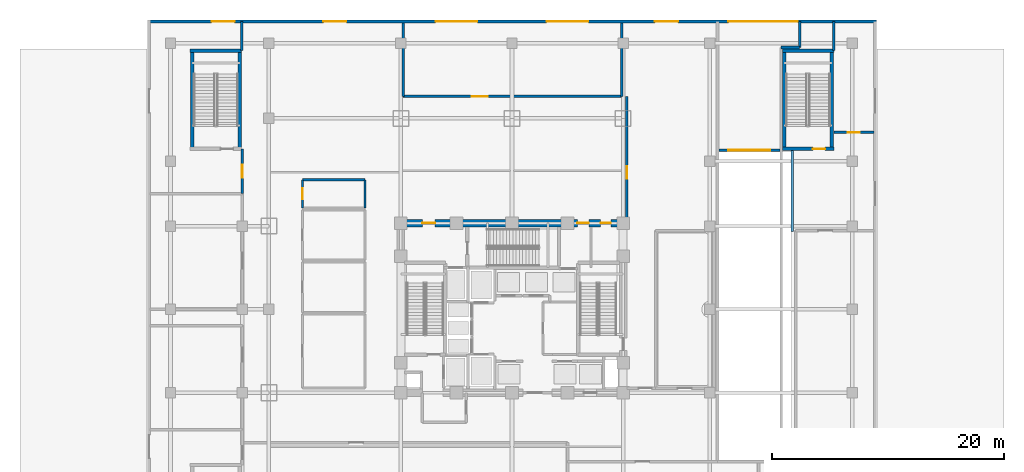
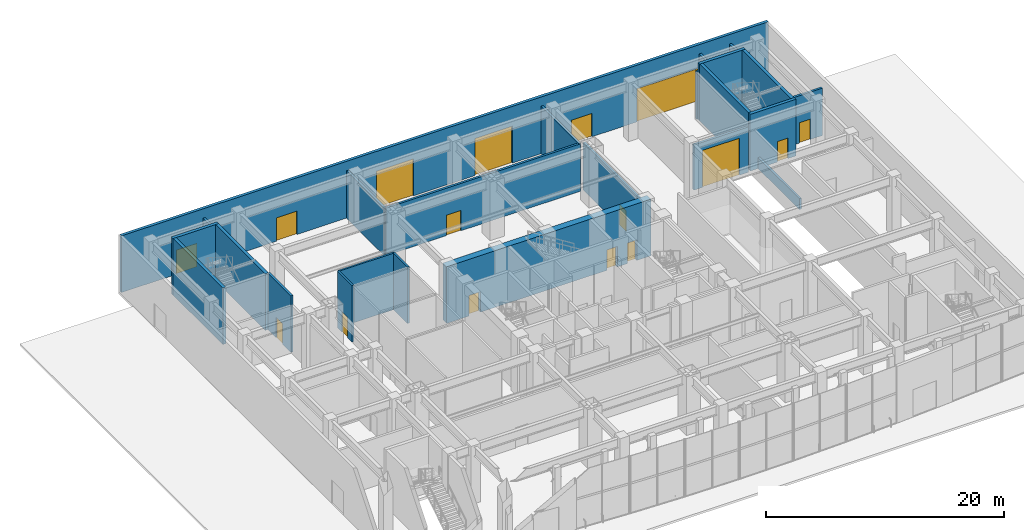
# One storey, part 15 of 23: 24 walls, 16 doors, 16 openings.
"""IFC4 building model written with IfcOpenShell, lengths in metres."""

from ifc_helpers import new_model, si_unit, direction, frame, frame_2d, origin, place, context, subcontext, project, spatial, rectangle, extrude, material, layer, layer_set, type_object, element, fill, save


model = new_model("IFC4")

# Units and contexts
model_context = context("Model", 3, precision=1e-05, world=origin(), true_north=direction((0.0, 1.0)))
body_context = subcontext(model_context, "Body", "Model", "MODEL_VIEW")
ifc_project = project(units=[si_unit("LENGTHUNIT", "METRE"), si_unit("AREAUNIT", "SQUARE_METRE"), si_unit("VOLUMEUNIT", "CUBIC_METRE"), si_unit("PLANEANGLEUNIT", "RADIAN"), si_unit("MASSUNIT", "GRAM", prefix="KILO")], contexts=[model_context])

# Site, building, storey
site_placement = place(None, origin())
site = spatial("IfcSite", under=ifc_project, at=site_placement, CompositionType="ELEMENT")
building_placement = place(site_placement, origin())
building = spatial("IfcBuilding", under=site, at=building_placement, Name="Vantalir Tower", CompositionType="ELEMENT")
storey_placement = place(building_placement, origin())
storey = spatial("IfcBuildingStorey", under=building, at=storey_placement, Name="L00", CompositionType="ELEMENT", Elevation=0.0)

# Wall, openings, doors
ifc_material_1 = material(Name="Concrete C60/75", Category="concrete")
ifc_layer_1 = layer(ifc_material_1, 0.64990234375)
ifc_layer_set_1 = layer_set([ifc_layer_1], Name="Concrete C60/75")
wall_type_1 = type_object("IfcWallType", Name="WL-CORE-650", PredefinedType="SHEAR", material=ifc_layer_set_1)
wall_1_placement = place(storey_placement, frame((21.574951171875, 32.449951171875, 0.0), z_axis=(0.0, 0.0, 1.0), x_axis=(1.0, 0.0, 0.0)))
wall_1 = element("IfcWall", 1, at=wall_1_placement, inside=storey, type_object=wall_type_1, Name="L00 Core Shear Wall North", PredefinedType="SHEAR", context=body_context, shape_type="SweptSolid", body=[
    extrude(rectangle(XDim=19.85009765625, YDim=0.64990234375, at=frame_2d((9.925048828125, 0.0))), origin(), (0.0, 0.0, 1.0), 5.820068359375),
])
opening_1_placement = place(wall_1_placement, frame((2.175048828125, 0.0, 0.0)))
opening_1 = element("IfcOpeningElement", 2, at=opening_1_placement, cuts=wall_1, Name="Opening D-FFL", PredefinedType="OPENING", context=body_context, shape_type="SweptSolid", body=[
    extrude(rectangle(XDim=1.10009765625, YDim=2.10009765625, at=frame_2d((0.550048828125, 1.050048828125))), frame((0.0, 0.3349609375, 0.0), z_axis=(0.0, -1.0, 0.0), x_axis=(1.0, 0.0, 0.0)), (0.0, 0.0, 1.0), 0.669921875),
])
opening_2_placement = place(wall_1_placement, frame((15.56494140625, 0.0, 0.0)))
opening_2 = element("IfcOpeningElement", 3, at=opening_2_placement, cuts=wall_1, Name="Opening D-GUEST", PredefinedType="OPENING", context=body_context, shape_type="SweptSolid", body=[
    extrude(rectangle(XDim=1.0, YDim=2.10009765625, at=frame_2d((0.5, 1.050048828125))), frame((0.0, 0.3349609375, 0.0), z_axis=(0.0, -1.0, 0.0), x_axis=(1.0, 0.0, 0.0)), (0.0, 0.0, 1.0), 0.669921875),
])
opening_3_placement = place(wall_1_placement, frame((17.574951171875, 0.0, 0.0)))
opening_3 = element("IfcOpeningElement", 4, at=opening_3_placement, cuts=wall_1, Name="Opening D-CR", PredefinedType="OPENING", context=body_context, shape_type="SweptSolid", body=[
    extrude(rectangle(XDim=0.89990234375, YDim=2.10009765625, at=frame_2d((0.449951171875, 1.050048828125))), frame((0.0, 0.3349609375, 0.0), z_axis=(0.0, -1.0, 0.0), x_axis=(1.0, 0.0, 0.0)), (0.0, 0.0, 1.0), 0.669921875),
])
ifc_material_2 = material(Name="Fire-rated steel core service door", Category="steel")
door_type_1 = type_object("IfcDoorType", Name="DR-CORE-SERV-900", OperationType="NOTDEFINED", PredefinedType="DOOR", material=ifc_material_2)
door_1_placement = place(opening_3_placement, frame((0.89990234375, 0.0, 0.0), z_axis=(0.0, 0.0, 1.0), x_axis=(-1.0, 0.0, 0.0)))
door_1 = element("IfcDoor", 5, at=door_1_placement, inside=storey, type_object=door_type_1, Name="L00 Housekeeping and Linen Room Door", OperationType="SINGLE_SWING_RIGHT", OverallHeight=2.10009765625, OverallWidth=0.89990234375, PredefinedType="DOOR", context=body_context, shape_type="SweptSolid", body=[
    extrude(rectangle(XDim=0.89990234375, YDim=2.10009765625, at=frame_2d((0.449951171875, 1.050048828125))), frame((0.0, 0.02490234375, 0.0), z_axis=(0.0, -1.0, 0.0), x_axis=(1.0, 0.0, 0.0)), (0.0, 0.0, 1.0), 0.050048828125),
])
fill(opening_3, door_1)
ifc_material_3 = material(Name="Fire-rated acoustic steel door", Category="steel")
door_type_2 = type_object("IfcDoorType", Name="DR-FIRE-LOBBY-1100", OperationType="NOTDEFINED", PredefinedType="DOOR", material=ifc_material_3)
door_2_placement = place(opening_1_placement, origin())
door_2 = element("IfcDoor", 6, at=door_2_placement, inside=storey, type_object=door_type_2, Name="L00 Firefighting Lobby East Access Door", OperationType="SINGLE_SWING_RIGHT", OverallHeight=2.10009765625, OverallWidth=1.10009765625, PredefinedType="DOOR", context=body_context, shape_type="SweptSolid", body=[
    extrude(rectangle(XDim=1.10009765625, YDim=2.10009765625, at=frame_2d((0.550048828125, 1.050048828125))), frame((0.0, 0.02490234375, 0.0), z_axis=(0.0, -1.0, 0.0), x_axis=(1.0, 0.0, 0.0)), (0.0, 0.0, 1.0), 0.050048828125),
])
fill(opening_1, door_2)
ifc_material_4 = material(Name="Solid-core teak veneer acoustic fire door", Category="wood")
door_type_3 = type_object("IfcDoorType", Name="DR-GUEST-ENTRY-1000", OperationType="NOTDEFINED", PredefinedType="DOOR", material=ifc_material_4)
door_3_placement = place(opening_2_placement, origin())
door_3 = element("IfcDoor", 7, at=door_3_placement, inside=storey, type_object=door_type_3, Name="L00 High-Rise Lift Lobby Door", OperationType="SINGLE_SWING_LEFT", OverallHeight=2.10009765625, OverallWidth=1.0, PredefinedType="DOOR", context=body_context, shape_type="SweptSolid", body=[
    extrude(rectangle(XDim=1.0, YDim=2.10009765625, at=frame_2d((0.5, 1.050048828125))), frame((0.0, 0.02490234375, 0.0), z_axis=(0.0, -1.0, 0.0), x_axis=(1.0, 0.0, 0.0)), (0.0, 0.0, 1.0), 0.050048828125),
])
fill(opening_2, door_3)

ifc_material_5 = material(Name="Precast concrete C40/50 with insulated PVDF rainscreen", Category="concrete")
ifc_layer_2 = layer(ifc_material_5, 0.280029296875)
ifc_layer_set_2 = layer_set([ifc_layer_2], Name="Precast concrete C40/50 with insulated PVDF rainscreen")
wall_type_2 = type_object("IfcWallType", Name="WL-EXT-POD-280", PredefinedType="SOLIDWALL", material=ifc_layer_set_2)
wall_2_placement = place(storey_placement, frame((63.0, 49.860107421875, 0.0), z_axis=(0.0, 0.0, 1.0), x_axis=(-1.0, 0.0, 0.0)))
wall_2 = element("IfcWall", 8, at=wall_2_placement, inside=storey, type_object=wall_type_2, Name="L00 Podium North Street Facade Wall", PredefinedType="SOLIDWALL", context=body_context, shape_type="SweptSolid", body=[
    extrude(rectangle(XDim=62.860107421875, YDim=0.280029296875, at=frame_2d((31.43017578125, 0.0))), origin(), (0.0, 0.0, 1.0), 5.820068359375),
])
opening_4_placement = place(wall_2_placement, frame((17.14990234375, 0.0, 0.0)))
opening_4 = element("IfcOpeningElement", 9, at=opening_4_placement, cuts=wall_2, Name="Opening D-EX03", PredefinedType="OPENING", context=body_context, shape_type="SweptSolid", body=[
    extrude(rectangle(XDim=2.0, YDim=2.39990234375, at=frame_2d((1.0, 1.199951171875))), frame((0.0, 0.14990234375, 0.0), z_axis=(0.0, -1.0, 0.0), x_axis=(1.0, 0.0, 0.0)), (0.0, 0.0, 1.0), 0.300048828125),
])
opening_5_placement = place(wall_2_placement, frame((45.800048828125, 0.0, 0.0)))
opening_5 = element("IfcOpeningElement", 10, at=opening_5_placement, cuts=wall_2, Name="Opening D-EX04", PredefinedType="OPENING", context=body_context, shape_type="SweptSolid", body=[
    extrude(rectangle(XDim=2.0, YDim=2.39990234375, at=frame_2d((1.0, 1.199951171875))), frame((0.0, 0.14990234375, 0.0), z_axis=(0.0, -1.0, 0.0), x_axis=(1.0, 0.0, 0.0)), (0.0, 0.0, 1.0), 0.300048828125),
])
opening_6_placement = place(wall_2_placement, frame((55.449951171875, 0.0, 0.0)))
opening_6 = element("IfcOpeningElement", 11, at=opening_6_placement, cuts=wall_2, Name="Opening D-EX05", PredefinedType="OPENING", context=body_context, shape_type="SweptSolid", body=[
    extrude(rectangle(XDim=2.0, YDim=2.39990234375, at=frame_2d((1.0, 1.199951171875))), frame((0.0, 0.14990234375, 0.0), z_axis=(0.0, -1.0, 0.0), x_axis=(1.0, 0.0, 0.0)), (0.0, 0.0, 1.0), 0.300048828125),
])
opening_7_placement = place(wall_2_placement, frame((6.800048828125, 0.0, 0.0)))
opening_7 = element("IfcOpeningElement", 12, at=opening_7_placement, cuts=wall_2, Name="Opening DG-V01", PredefinedType="OPENING", context=body_context, shape_type="SweptSolid", body=[
    extrude(rectangle(XDim=6.0, YDim=3.39990234375, at=frame_2d((3.0, 1.699951171875))), frame((0.0, 0.14990234375, 0.0), z_axis=(0.0, -1.0, 0.0), x_axis=(1.0, 0.0, 0.0)), (0.0, 0.0, 1.0), 0.300048828125),
])
opening_8_placement = place(wall_2_placement, frame((24.89990234375, 0.0, 0.0)))
opening_8 = element("IfcOpeningElement", 13, at=opening_8_placement, cuts=wall_2, Name="Opening DG-LD01", PredefinedType="OPENING", context=body_context, shape_type="SweptSolid", body=[
    extrude(rectangle(XDim=3.60009765625, YDim=3.800048828125, at=frame_2d((1.800048828125, 1.89990234375))), frame((0.0, 0.14990234375, 0.0), z_axis=(0.0, -1.0, 0.0), x_axis=(1.0, 0.0, 0.0)), (0.0, 0.0, 1.0), 0.300048828125),
])
opening_9_placement = place(wall_2_placement, frame((34.5, 0.0, 0.0)))
opening_9 = element("IfcOpeningElement", 14, at=opening_9_placement, cuts=wall_2, Name="Opening DG-LD02", PredefinedType="OPENING", context=body_context, shape_type="SweptSolid", body=[
    extrude(rectangle(XDim=3.60009765625, YDim=3.800048828125, at=frame_2d((1.800048828125, 1.89990234375))), frame((0.0, 0.14990234375, 0.0), z_axis=(0.0, -1.0, 0.0), x_axis=(1.0, 0.0, 0.0)), (0.0, 0.0, 1.0), 0.300048828125),
])
ifc_material_6 = material(Name="Motorised loading-dock steel roller shutter", Category="steel")
door_type_4 = type_object("IfcDoorType", Name="DR-GATE-DOCK-3600", OperationType="ROLLINGUP", PredefinedType="GATE", material=ifc_material_6)
door_4_placement = place(opening_8_placement, frame((3.60009765625, 0.0, 0.0), z_axis=(0.0, 0.0, 1.0), x_axis=(-1.0, 0.0, 0.0)))
door_4 = element("IfcDoor", 15, at=door_4_placement, inside=storey, type_object=door_type_4, Name="Loading Dock Roller Shutter DG-LD01", OperationType="ROLLINGUP", OverallHeight=3.800048828125, OverallWidth=3.60009765625, PredefinedType="GATE", context=body_context, shape_type="SweptSolid", body=[
    extrude(rectangle(XDim=3.60009765625, YDim=3.800048828125, at=frame_2d((1.800048828125, 1.89990234375))), frame((0.0, 0.02490234375, 0.0), z_axis=(0.0, -1.0, 0.0), x_axis=(1.0, 0.0, 0.0)), (0.0, 0.0, 1.0), 0.050048828125),
])
fill(opening_8, door_4)
door_5_placement = place(opening_9_placement, frame((3.60009765625, 0.0, 0.0), z_axis=(0.0, 0.0, 1.0), x_axis=(-1.0, 0.0, 0.0)))
door_5 = element("IfcDoor", 16, at=door_5_placement, inside=storey, type_object=door_type_4, Name="Loading Dock Roller Shutter DG-LD02", OperationType="ROLLINGUP", OverallHeight=3.800048828125, OverallWidth=3.60009765625, PredefinedType="GATE", context=body_context, shape_type="SweptSolid", body=[
    extrude(rectangle(XDim=3.60009765625, YDim=3.800048828125, at=frame_2d((1.800048828125, 1.89990234375))), frame((0.0, 0.02490234375, 0.0), z_axis=(0.0, -1.0, 0.0), x_axis=(1.0, 0.0, 0.0)), (0.0, 0.0, 1.0), 0.050048828125),
])
fill(opening_9, door_5)
ifc_material_7 = material(Name="Motorised insulated steel roller shutter", Category="steel")
door_type_5 = type_object("IfcDoorType", Name="DR-GATE-VEHICLE-6000", OperationType="ROLLINGUP", PredefinedType="GATE", material=ifc_material_7)
door_6_placement = place(opening_7_placement, frame((6.0, 0.0, 0.0), z_axis=(0.0, 0.0, 1.0), x_axis=(-1.0, 0.0, 0.0)))
door_6 = element("IfcDoor", 17, at=door_6_placement, inside=storey, type_object=door_type_5, Name="Car Park Vehicle Ramp Roller Shutter Gate DG-V01", OperationType="ROLLINGUP", OverallHeight=3.39990234375, OverallWidth=6.0, PredefinedType="GATE", context=body_context, shape_type="SweptSolid", body=[
    extrude(rectangle(XDim=6.0, YDim=3.39990234375, at=frame_2d((3.0, 1.699951171875))), frame((0.0, 0.02490234375, 0.0), z_axis=(0.0, -1.0, 0.0), x_axis=(1.0, 0.0, 0.0)), (0.0, 0.0, 1.0), 0.050048828125),
])
fill(opening_7, door_6)
ifc_material_8 = material(Name="Anodised aluminium and laminated safety glass", Category="aluminium")
door_type_6 = type_object("IfcDoorType", Name="DR-PERIM-OUT-2000", OperationType="DOUBLE_DOOR_SINGLE_SWING", PredefinedType="DOOR", material=ifc_material_8)
door_7_placement = place(opening_4_placement, frame((2.0, 0.0, 0.0), z_axis=(0.0, 0.0, 1.0), x_axis=(-1.0, 0.0, 0.0)))
door_7 = element("IfcDoor", 18, at=door_7_placement, inside=storey, type_object=door_type_6, Name="Ground Final Exit Door D-EX03", OperationType="DOUBLE_DOOR_SINGLE_SWING", OverallHeight=2.39990234375, OverallWidth=2.0, PredefinedType="DOOR", context=body_context, shape_type="SweptSolid", body=[
    extrude(rectangle(XDim=2.0, YDim=2.39990234375, at=frame_2d((1.0, 1.199951171875))), frame((0.0, 0.02490234375, 0.0), z_axis=(0.0, -1.0, 0.0), x_axis=(1.0, 0.0, 0.0)), (0.0, 0.0, 1.0), 0.050048828125),
])
fill(opening_4, door_7)
door_8_placement = place(opening_5_placement, frame((2.0, 0.0, 0.0), z_axis=(0.0, 0.0, 1.0), x_axis=(-1.0, 0.0, 0.0)))
door_8 = element("IfcDoor", 19, at=door_8_placement, inside=storey, type_object=door_type_6, Name="Ground Final Exit Door D-EX04", OperationType="DOUBLE_DOOR_SINGLE_SWING", OverallHeight=2.39990234375, OverallWidth=2.0, PredefinedType="DOOR", context=body_context, shape_type="SweptSolid", body=[
    extrude(rectangle(XDim=2.0, YDim=2.39990234375, at=frame_2d((1.0, 1.199951171875))), frame((0.0, 0.02490234375, 0.0), z_axis=(0.0, -1.0, 0.0), x_axis=(1.0, 0.0, 0.0)), (0.0, 0.0, 1.0), 0.050048828125),
])
fill(opening_5, door_8)
door_9_placement = place(opening_6_placement, frame((2.0, 0.0, 0.0), z_axis=(0.0, 0.0, 1.0), x_axis=(-1.0, 0.0, 0.0)))
door_9 = element("IfcDoor", 20, at=door_9_placement, inside=storey, type_object=door_type_6, Name="Ground Final Exit Door D-EX05", OperationType="DOUBLE_DOOR_SINGLE_SWING", OverallHeight=2.39990234375, OverallWidth=2.0, PredefinedType="DOOR", context=body_context, shape_type="SweptSolid", body=[
    extrude(rectangle(XDim=2.0, YDim=2.39990234375, at=frame_2d((1.0, 1.199951171875))), frame((0.0, 0.02490234375, 0.0), z_axis=(0.0, -1.0, 0.0), x_axis=(1.0, 0.0, 0.0)), (0.0, 0.0, 1.0), 0.050048828125),
])
fill(opening_6, door_9)

# Wall, opening, door
ifc_material_9 = material(Name="Concrete blockwork with fireboard lining", Category="masonry")
ifc_layer_3 = layer(ifc_material_9, 0.219970703125)
ifc_layer_set_3 = layer_set([ifc_layer_3], Name="Concrete blockwork with fireboard lining")
wall_type_3 = type_object("IfcWallType", Name="WL-FFL-220", PredefinedType="PARTITIONING", material=ifc_layer_set_3)
wall_3_placement = place(storey_placement, frame((54.639892578125, 38.75, 0.0), z_axis=(0.0, 0.0, 1.0), x_axis=(-1.0, 0.0, 0.0)))
wall_3 = element("IfcWall", 21, at=wall_3_placement, inside=storey, type_object=wall_type_3, Name="L00 Car Park Ramp Arrival Shutter Portal Wall", PredefinedType="PARTITIONING", context=body_context, shape_type="SweptSolid", body=[
    extrude(rectangle(XDim=5.27978515625, YDim=0.219970703125, at=frame_2d((2.639892578125, 0.0))), origin(), (0.0, 0.0, 1.0), 4.64990234375),
])
opening_10_placement = place(wall_3_placement, frame((0.840087890625, 0.0, 0.0)))
opening_10 = element("IfcOpeningElement", 22, at=opening_10_placement, cuts=wall_3, Name="Opening DG-LD", PredefinedType="OPENING", context=body_context, shape_type="SweptSolid", body=[
    extrude(rectangle(XDim=3.60009765625, YDim=3.800048828125, at=frame_2d((1.800048828125, 1.89990234375))), frame((0.0, 0.119873046875, 0.0), z_axis=(0.0, -1.0, 0.0), x_axis=(1.0, 0.0, 0.0)), (0.0, 0.0, 1.0), 0.239990234375),
])
door_10_placement = place(opening_10_placement, frame((3.60009765625, 0.0, 0.0), z_axis=(0.0, 0.0, 1.0), x_axis=(-1.0, 0.0, 0.0)))
door_10 = element("IfcDoor", 23, at=door_10_placement, inside=storey, type_object=door_type_4, Name="L00 Car Park Ramp Arrival Roller Shutter", OperationType="ROLLINGUP", OverallHeight=3.800048828125, OverallWidth=3.60009765625, PredefinedType="GATE", context=body_context, shape_type="SweptSolid", body=[
    extrude(rectangle(XDim=3.60009765625, YDim=3.800048828125, at=frame_2d((1.800048828125, 1.89990234375))), frame((0.0, 0.02490234375, 0.0), z_axis=(0.0, -1.0, 0.0), x_axis=(1.0, 0.0, 0.0)), (0.0, 0.0, 1.0), 0.050048828125),
])
fill(opening_10, door_10)

# Walls
wall_4_placement = place(storey_placement, frame((54.75, 47.625, 0.0), z_axis=(0.0, 0.0, 1.0), x_axis=(1.0, 0.0, 0.0)))
element("IfcWall", 24, at=wall_4_placement, inside=storey, type_object=wall_type_3, Name="L00 Ramp Driveway Shoulder", PredefinedType="PARTITIONING", context=body_context, shape_type="SweptSolid", body=[
    extrude(rectangle(XDim=1.60009765625, YDim=0.219970703125, at=frame_2d((0.800048828125, 0.0))), origin(), (0.0, 0.0, 1.0), 4.867919921875),
])
wall_5_placement = place(storey_placement, frame((56.35009765625, 47.625, 0.0), z_axis=(0.0, 0.0, 1.0), x_axis=(0.0, 1.0, 0.0)))
element("IfcWall", 25, at=wall_5_placement, inside=storey, type_object=wall_type_3, Name="L00 Ramp Driveway North Gate Jamb", PredefinedType="PARTITIONING", context=body_context, shape_type="SweptSolid", body=[
    extrude(rectangle(XDim=2.22509765625, YDim=0.219970703125, at=frame_2d((1.112548828125, 0.0))), origin(), (0.0, 0.0, 1.0), 4.867919921875),
])

# Wall, opening, door
wall_6_placement = place(storey_placement, frame((22.10009765625, 43.39990234375, 0.0), z_axis=(0.0, 0.0, 1.0), x_axis=(1.0, 0.0, 0.0)))
wall_6 = element("IfcWall", 26, at=wall_6_placement, inside=storey, type_object=wall_type_3, Name="L00 Loading Bay and Servicing Yard South Wall", PredefinedType="PARTITIONING", context=body_context, shape_type="SweptSolid", body=[
    extrude(rectangle(XDim=18.89990234375, YDim=0.219970703125, at=frame_2d((9.449951171875, 0.0))), origin(), (0.0, 0.0, 1.0), 4.867919921875),
])
opening_11_placement = place(wall_6_placement, frame((5.9150390625, 0.0, 0.0)))
opening_11 = element("IfcOpeningElement", 27, at=opening_11_placement, cuts=wall_6, Name="Opening D-PLANT", PredefinedType="OPENING", context=body_context, shape_type="SweptSolid", body=[
    extrude(rectangle(XDim=1.39990234375, YDim=2.10009765625, at=frame_2d((0.699951171875, 1.050048828125))), frame((0.0, 0.119873046875, 0.0), z_axis=(0.0, -1.0, 0.0), x_axis=(1.0, 0.0, 0.0)), (0.0, 0.0, 1.0), 0.239990234375),
])
ifc_material_10 = material(Name="Louvred fire-rated steel plant double door", Category="steel")
door_type_7 = type_object("IfcDoorType", Name="DR-PLANT-1400", OperationType="DOUBLE_DOOR_SINGLE_SWING", PredefinedType="DOOR", material=ifc_material_10)
door_11_placement = place(opening_11_placement, origin())
door_11 = element("IfcDoor", 28, at=door_11_placement, inside=storey, type_object=door_type_7, Name="L00 Loading Bay and Servicing Yard Door", OperationType="DOUBLE_DOOR_SINGLE_SWING", OverallHeight=2.10009765625, OverallWidth=1.39990234375, PredefinedType="DOOR", context=body_context, shape_type="SweptSolid", body=[
    extrude(rectangle(XDim=1.39990234375, YDim=2.10009765625, at=frame_2d((0.699951171875, 1.050048828125))), frame((0.0, 0.02490234375, 0.0), z_axis=(0.0, -1.0, 0.0), x_axis=(1.0, 0.0, 0.0)), (0.0, 0.0, 1.0), 0.050048828125),
])
fill(opening_11, door_11)

# Walls
for number, where, z_axis, x_axis, name in (
    (29, (22.10009765625, 43.39990234375, 0.0), (0.0, 0.0, 1.0), (0.0, 1.0, 0.0), "L00 Loading Bay and Servicing Yard West Wall"),
    (30, (41.0, 43.39990234375, 0.0), (0.0, 0.0, 1.0), (0.0, 1.0, 0.0), "L00 Loading Bay and Servicing Yard East Wall"),
):
    element("IfcWall", number, at=place(storey_placement, frame(where, z_axis=z_axis, x_axis=x_axis)), inside=storey, type_object=wall_type_3, Name=name, PredefinedType="PARTITIONING", context=body_context, shape_type="SweptSolid", body=[
        extrude(rectangle(XDim=6.35009765625, YDim=0.219970703125, at=frame_2d((3.175048828125, 0.0))), origin(), (0.0, 0.0, 1.0), 4.867919921875),
    ])

# Wall, opening, door
wall_7_placement = place(storey_placement, frame((59.300048828125, 40.300048828125, 0.0), z_axis=(0.0, 0.0, 1.0), x_axis=(1.0, 0.0, 0.0)))
wall_7 = element("IfcWall", 31, at=wall_7_placement, inside=storey, type_object=wall_type_3, Name="L00 Fire Command Centre South Wall", PredefinedType="PARTITIONING", context=body_context, shape_type="SweptSolid", body=[
    extrude(rectangle(XDim=3.449951171875, YDim=0.219970703125, at=frame_2d((1.72509765625, 0.0))), origin(), (0.0, 0.0, 1.0), 4.867919921875),
])
opening_12_placement = place(wall_7_placement, frame((1.199951171875, 0.0, 0.0)))
opening_12 = element("IfcOpeningElement", 32, at=opening_12_placement, cuts=wall_7, Name="Opening D-FCC", PredefinedType="OPENING", context=body_context, shape_type="SweptSolid", body=[
    extrude(rectangle(XDim=1.050048828125, YDim=2.10009765625, at=frame_2d((0.52490234375, 1.050048828125))), frame((0.0, 0.119873046875, 0.0), z_axis=(0.0, -1.0, 0.0), x_axis=(1.0, 0.0, 0.0)), (0.0, 0.0, 1.0), 0.239990234375),
])
ifc_material_11 = material(Name="2-hour fire-rated steel Fire Command Centre door", Category="steel")
door_type_8 = type_object("IfcDoorType", Name="DR-FCC-1050", OperationType="NOTDEFINED", PredefinedType="DOOR", material=ifc_material_11)
door_12_placement = place(opening_12_placement, origin())
door_12 = element("IfcDoor", 33, at=door_12_placement, inside=storey, type_object=door_type_8, Name="L00 Fire Command Centre Door", OperationType="SINGLE_SWING_LEFT", OverallHeight=2.10009765625, OverallWidth=1.050048828125, PredefinedType="DOOR", context=body_context, shape_type="SweptSolid", body=[
    extrude(rectangle(XDim=1.050048828125, YDim=2.10009765625, at=frame_2d((0.52490234375, 1.050048828125))), frame((0.0, 0.02490234375, 0.0), z_axis=(0.0, -1.0, 0.0), x_axis=(1.0, 0.0, 0.0)), (0.0, 0.0, 1.0), 0.050048828125),
])
fill(opening_12, door_12)

# Wall
wall_8_placement = place(storey_placement, frame((59.300048828125, 47.360107421875, 0.0), z_axis=(0.0, 0.0, 1.0), x_axis=(0.0, 1.0, 0.0)))
element("IfcWall", 34, at=wall_8_placement, inside=storey, type_object=wall_type_3, Name="L00 Fire Command Centre North-West Wall", PredefinedType="PARTITIONING", context=body_context, shape_type="SweptSolid", body=[
    extrude(rectangle(XDim=2.489990234375, YDim=0.219970703125, at=frame_2d((1.2451171875, 0.0))), origin(), (0.0, 0.0, 1.0), 4.867919921875),
])

# Wall, opening, door
wall_9_placement = place(storey_placement, frame((8.199951171875, 35.0, 0.0), z_axis=(0.0, 0.0, 1.0), x_axis=(0.0, 1.0, 0.0)))
wall_9 = element("IfcWall", 35, at=wall_9_placement, inside=storey, type_object=wall_type_3, Name="L00 West Exit Passage Wall", PredefinedType="PARTITIONING", context=body_context, shape_type="SweptSolid", body=[
    extrude(rectangle(XDim=3.860107421875, YDim=0.219970703125, at=frame_2d((1.93017578125, 0.0))), origin(), (0.0, 0.0, 1.0), 5.800048828125),
])
opening_13_placement = place(wall_9_placement, frame((1.3798828125, 0.0, 0.0)))
opening_13 = element("IfcOpeningElement", 36, at=opening_13_placement, cuts=wall_9, Name="Opening D-FFL", PredefinedType="OPENING", context=body_context, shape_type="SweptSolid", body=[
    extrude(rectangle(XDim=1.10009765625, YDim=2.10009765625, at=frame_2d((0.550048828125, 1.050048828125))), frame((0.0, 0.119873046875, 0.0), z_axis=(0.0, -1.0, 0.0), x_axis=(1.0, 0.0, 0.0)), (0.0, 0.0, 1.0), 0.239990234375),
])
door_13_placement = place(opening_13_placement, origin())
door_13 = element("IfcDoor", 37, at=door_13_placement, inside=storey, type_object=door_type_2, Name="L00 West Exit Passage Fire Door", OperationType="SINGLE_SWING_LEFT", OverallHeight=2.10009765625, OverallWidth=1.10009765625, PredefinedType="DOOR", context=body_context, shape_type="SweptSolid", body=[
    extrude(rectangle(XDim=1.10009765625, YDim=2.10009765625, at=frame_2d((0.550048828125, 1.050048828125))), frame((0.0, 0.02490234375, 0.0), z_axis=(0.0, -1.0, 0.0), x_axis=(1.0, 0.0, 0.0)), (0.0, 0.0, 1.0), 0.050048828125),
])
fill(opening_13, door_13)

# Wall
wall_10_placement = place(storey_placement, frame((8.14990234375, 47.360107421875, 0.0), z_axis=(0.0, 0.0, 1.0), x_axis=(0.0, 1.0, 0.0)))
element("IfcWall", 38, at=wall_10_placement, inside=storey, type_object=wall_type_3, Name="L00 West Exit Passage North Jamb Wall", PredefinedType="PARTITIONING", context=body_context, shape_type="SweptSolid", body=[
    extrude(rectangle(XDim=2.489990234375, YDim=0.219970703125, at=frame_2d((1.2451171875, 0.0))), origin(), (0.0, 0.0, 1.0), 4.867919921875),
])

# Wall, opening, door
wall_11_placement = place(storey_placement, frame((41.425048828125, 32.449951171875, 0.0), z_axis=(0.0, 0.0, 1.0), x_axis=(0.0, 1.0, 0.0)))
wall_11 = element("IfcWall", 39, at=wall_11_placement, inside=storey, type_object=wall_type_3, Name="L00 East Exit Passage West Fire Wall", PredefinedType="PARTITIONING", context=body_context, shape_type="SweptSolid", body=[
    extrude(rectangle(XDim=10.949951171875, YDim=0.219970703125, at=frame_2d((5.47509765625, 0.0))), origin(), (0.0, 0.0, 1.0), 4.844970703125),
])
opening_14_placement = place(wall_11_placement, frame((3.830078125, 0.0, 0.0)))
opening_14 = element("IfcOpeningElement", 40, at=opening_14_placement, cuts=wall_11, Name="Opening D-FFL", PredefinedType="OPENING", context=body_context, shape_type="SweptSolid", body=[
    extrude(rectangle(XDim=1.10009765625, YDim=2.10009765625, at=frame_2d((0.550048828125, 1.050048828125))), frame((0.0, 0.119873046875, 0.0), z_axis=(0.0, -1.0, 0.0), x_axis=(1.0, 0.0, 0.0)), (0.0, 0.0, 1.0), 0.239990234375),
])
door_14_placement = place(opening_14_placement, frame((1.10009765625, 0.0, 0.0), z_axis=(0.0, 0.0, 1.0), x_axis=(-1.0, 0.0, 0.0)))
door_14 = element("IfcDoor", 41, at=door_14_placement, inside=storey, type_object=door_type_2, Name="L00 East Exit Passage Fire Door", OperationType="SINGLE_SWING_LEFT", OverallHeight=2.10009765625, OverallWidth=1.10009765625, PredefinedType="DOOR", context=body_context, shape_type="SweptSolid", body=[
    extrude(rectangle(XDim=1.10009765625, YDim=2.10009765625, at=frame_2d((0.550048828125, 1.050048828125))), frame((0.0, 0.02490234375, 0.0), z_axis=(0.0, -1.0, 0.0), x_axis=(1.0, 0.0, 0.0)), (0.0, 0.0, 1.0), 0.050048828125),
])
fill(opening_14, door_14)

# Wall
ifc_material_12 = material(Name="Twin-stud acoustic fire-rated gypsum partition", Category="gypsum")
ifc_layer_4 = layer(ifc_material_12, 0.179931640625)
ifc_layer_set_4 = layer_set([ifc_layer_4], Name="Twin-stud acoustic fire-rated gypsum partition")
wall_type_4 = type_object("IfcWallType", Name="WL-GUEST-180", PredefinedType="PARTITIONING", material=ifc_layer_set_4)
wall_12_placement = place(storey_placement, frame((13.39990234375, 36.199951171875, 0.0), z_axis=(0.0, 0.0, 1.0), x_axis=(1.0, 0.0, 0.0)))
element("IfcWall", 42, at=wall_12_placement, inside=storey, type_object=wall_type_4, Name="L00 Accessible WC North Wall", PredefinedType="PARTITIONING", context=body_context, shape_type="SweptSolid", body=[
    extrude(rectangle(XDim=5.400146484375, YDim=0.179931640625, at=frame_2d((2.7001953125, 0.0))), origin(), (0.0, 0.0, 1.0), 5.800048828125),
])

# Wall, opening, door
wall_13_placement = place(storey_placement, frame((13.39990234375, 33.75, 0.0), z_axis=(0.0, 0.0, 1.0), x_axis=(0.0, 1.0, 0.0)))
wall_13 = element("IfcWall", 43, at=wall_13_placement, inside=storey, type_object=wall_type_4, Name="L00 Accessible WC West Wall", PredefinedType="PARTITIONING", context=body_context, shape_type="SweptSolid", body=[
    extrude(rectangle(XDim=2.449951171875, YDim=0.179931640625, at=frame_2d((1.22509765625, 0.0))), origin(), (0.0, 0.0, 1.0), 5.800048828125),
])
opening_15_placement = place(wall_13_placement, frame((0.75, 0.0, 0.0)))
opening_15 = element("IfcOpeningElement", 44, at=opening_15_placement, cuts=wall_13, Name="Opening D-AWC", PredefinedType="OPENING", context=body_context, shape_type="SweptSolid", body=[
    extrude(rectangle(XDim=0.949951171875, YDim=2.10009765625, at=frame_2d((0.47509765625, 1.050048828125))), frame((0.0, 0.099853515625, 0.0), z_axis=(0.0, -1.0, 0.0), x_axis=(1.0, 0.0, 0.0)), (0.0, 0.0, 1.0), 0.199951171875),
])
ifc_material_13 = material(Name="Accessible toilet outward-opening hardwood door", Category="wood")
door_type_9 = type_object("IfcDoorType", Name="DR-ACC-WC-950", OperationType="NOTDEFINED", PredefinedType="DOOR", material=ifc_material_13)
door_15_placement = place(opening_15_placement, origin())
door_15 = element("IfcDoor", 45, at=door_15_placement, inside=storey, type_object=door_type_9, Name="L00 Accessible WC Door", OperationType="SINGLE_SWING_LEFT", OverallHeight=2.10009765625, OverallWidth=0.949951171875, PredefinedType="DOOR", context=body_context, shape_type="SweptSolid", body=[
    extrude(rectangle(XDim=0.949951171875, YDim=2.10009765625, at=frame_2d((0.47509765625, 1.050048828125))), frame((0.0, 0.02490234375, 0.0), z_axis=(0.0, -1.0, 0.0), x_axis=(1.0, 0.0, 0.0)), (0.0, 0.0, 1.0), 0.050048828125),
])
fill(opening_15, door_15)

# Walls
wall_14_placement = place(storey_placement, frame((18.800048828125, 33.75, 0.0), z_axis=(0.0, 0.0, 1.0), x_axis=(0.0, 1.0, 0.0)))
element("IfcWall", 46, at=wall_14_placement, inside=storey, type_object=wall_type_4, Name="L00 Accessible WC East Wall", PredefinedType="PARTITIONING", context=body_context, shape_type="SweptSolid", body=[
    extrude(rectangle(XDim=2.449951171875, YDim=0.179931640625, at=frame_2d((1.22509765625, 0.0))), origin(), (0.0, 0.0, 1.0), 5.800048828125),
])
ifc_material_14 = material(Name="Concrete C40/50 parapet upstand", Category="concrete")
ifc_layer_5 = layer(ifc_material_14, 0.199951171875)
ifc_layer_set_5 = layer_set([ifc_layer_5], Name="Concrete C40/50 parapet upstand")
wall_type_5 = type_object("IfcWallType", Name="WL-PARA-200", PredefinedType="PARAPET", material=ifc_layer_set_5)
wall_15_placement = place(storey_placement, frame((55.7099609375, 31.75, 0.0), z_axis=(0.0, 0.0, 1.0), x_axis=(0.0, 1.0, 0.0)))
element("IfcWall", 47, at=wall_15_placement, inside=storey, type_object=wall_type_5, Name="L00 Car Park Ramp East Kerb Guard Wall 2", PredefinedType="PARAPET", context=body_context, shape_type="SweptSolid", body=[
    extrude(rectangle(XDim=7.050048828125, YDim=0.199951171875, at=frame_2d((3.52490234375, 0.0))), origin(), (0.0, 0.0, 1.0), 1.1201171875),
])
ifc_material_15 = material(Name="Concrete C50/60", Category="concrete")
ifc_layer_6 = layer(ifc_material_15, 0.300048828125)
ifc_layer_set_6 = layer_set([ifc_layer_6], Name="Concrete C50/60")
wall_type_6 = type_object("IfcWallType", Name="WL-STAIR-300", PredefinedType="SHEAR", material=ifc_layer_set_6)
wall_16_placement = place(storey_placement, frame((3.699951171875, 47.360107421875, 0.0), z_axis=(0.0, 0.0, 1.0), x_axis=(1.0, 0.0, 0.0)))
element("IfcWall", 48, at=wall_16_placement, inside=storey, type_object=wall_type_6, Name="L00 PST1 North Wall", PredefinedType="SHEAR", context=body_context, shape_type="SweptSolid", body=[
    extrude(rectangle(XDim=4.449951171875, YDim=0.300048828125, at=frame_2d((2.22509765625, 0.0))), origin(), (0.0, 0.0, 1.0), 5.820068359375),
])
for number, where, z_axis, x_axis, name in (
    (49, (3.860107421875, 38.860107421875, 0.0), (0.0, 0.0, 1.0), (0.0, 1.0, 0.0), "L00 PST1 West Wall"),
    (50, (7.989990234375, 38.860107421875, 0.0), (0.0, 0.0, 1.0), (0.0, 1.0, 0.0), "L00 PST1 East Wall"),
):
    element("IfcWall", number, at=place(storey_placement, frame(where, z_axis=z_axis, x_axis=x_axis)), inside=storey, type_object=wall_type_6, Name=name, PredefinedType="SHEAR", context=body_context, shape_type="SweptSolid", body=[
        extrude(rectangle(XDim=8.5, YDim=0.300048828125, at=frame_2d((4.25, 0.0))), origin(), (0.0, 0.0, 1.0), 5.820068359375),
    ])

# Wall, opening, door
wall_17_placement = place(storey_placement, frame((54.85009765625, 38.860107421875, 0.0), z_axis=(0.0, 0.0, 1.0), x_axis=(1.0, 0.0, 0.0)))
wall_17 = element("IfcWall", 51, at=wall_17_placement, inside=storey, type_object=wall_type_6, Name="L00 PST2 South Wall", PredefinedType="SHEAR", context=body_context, shape_type="SweptSolid", body=[
    extrude(rectangle(XDim=4.449951171875, YDim=0.300048828125, at=frame_2d((2.22509765625, 0.0))), origin(), (0.0, 0.0, 1.0), 5.820068359375),
])
opening_16_placement = place(wall_17_placement, frame((2.64990234375, 0.0, 0.0)))
opening_16 = element("IfcOpeningElement", 52, at=opening_16_placement, cuts=wall_17, Name="Opening D-ST", PredefinedType="OPENING", context=body_context, shape_type="SweptSolid", body=[
    extrude(rectangle(XDim=1.050048828125, YDim=2.10009765625, at=frame_2d((0.52490234375, 1.050048828125))), frame((0.0, 0.159912109375, 0.0), z_axis=(0.0, -1.0, 0.0), x_axis=(1.0, 0.0, 0.0)), (0.0, 0.0, 1.0), 0.320068359375),
])
ifc_material_16 = material(Name="Fire-rated steel door leaf", Category="steel")
door_type_10 = type_object("IfcDoorType", Name="DR-FIRE-STAIR-1050", OperationType="NOTDEFINED", PredefinedType="DOOR", material=ifc_material_16)
door_16_placement = place(opening_16_placement, frame((1.050048828125, 0.0, 0.0), z_axis=(0.0, 0.0, 1.0), x_axis=(-1.0, 0.0, 0.0)))
door_16 = element("IfcDoor", 53, at=door_16_placement, inside=storey, type_object=door_type_10, Name="L00 Podium Stair PST2 Fire Door", OperationType="SINGLE_SWING_RIGHT", OverallHeight=2.10009765625, OverallWidth=1.050048828125, PredefinedType="DOOR", context=body_context, shape_type="SweptSolid", body=[
    extrude(rectangle(XDim=1.050048828125, YDim=2.10009765625, at=frame_2d((0.52490234375, 1.050048828125))), frame((0.0, 0.02490234375, 0.0), z_axis=(0.0, -1.0, 0.0), x_axis=(1.0, 0.0, 0.0)), (0.0, 0.0, 1.0), 0.050048828125),
])
fill(opening_16, door_16)

# Walls
wall_18_placement = place(storey_placement, frame((54.85009765625, 47.360107421875, 0.0), z_axis=(0.0, 0.0, 1.0), x_axis=(1.0, 0.0, 0.0)))
element("IfcWall", 54, at=wall_18_placement, inside=storey, type_object=wall_type_6, Name="L00 PST2 North Wall", PredefinedType="SHEAR", context=body_context, shape_type="SweptSolid", body=[
    extrude(rectangle(XDim=4.449951171875, YDim=0.300048828125, at=frame_2d((2.22509765625, 0.0))), origin(), (0.0, 0.0, 1.0), 5.820068359375),
])
for number, where, z_axis, x_axis, name in (
    (55, (55.010009765625, 38.860107421875, 0.0), (0.0, 0.0, 1.0), (0.0, 1.0, 0.0), "L00 PST2 West Wall"),
    (56, (59.139892578125, 38.860107421875, 0.0), (0.0, 0.0, 1.0), (0.0, 1.0, 0.0), "L00 PST2 East Wall"),
):
    element("IfcWall", number, at=place(storey_placement, frame(where, z_axis=z_axis, x_axis=x_axis)), inside=storey, type_object=wall_type_6, Name=name, PredefinedType="SHEAR", context=body_context, shape_type="SweptSolid", body=[
        extrude(rectangle(XDim=8.5, YDim=0.300048828125, at=frame_2d((4.25, 0.0))), origin(), (0.0, 0.0, 1.0), 5.820068359375),
    ])

save(model, "model.ifc")
